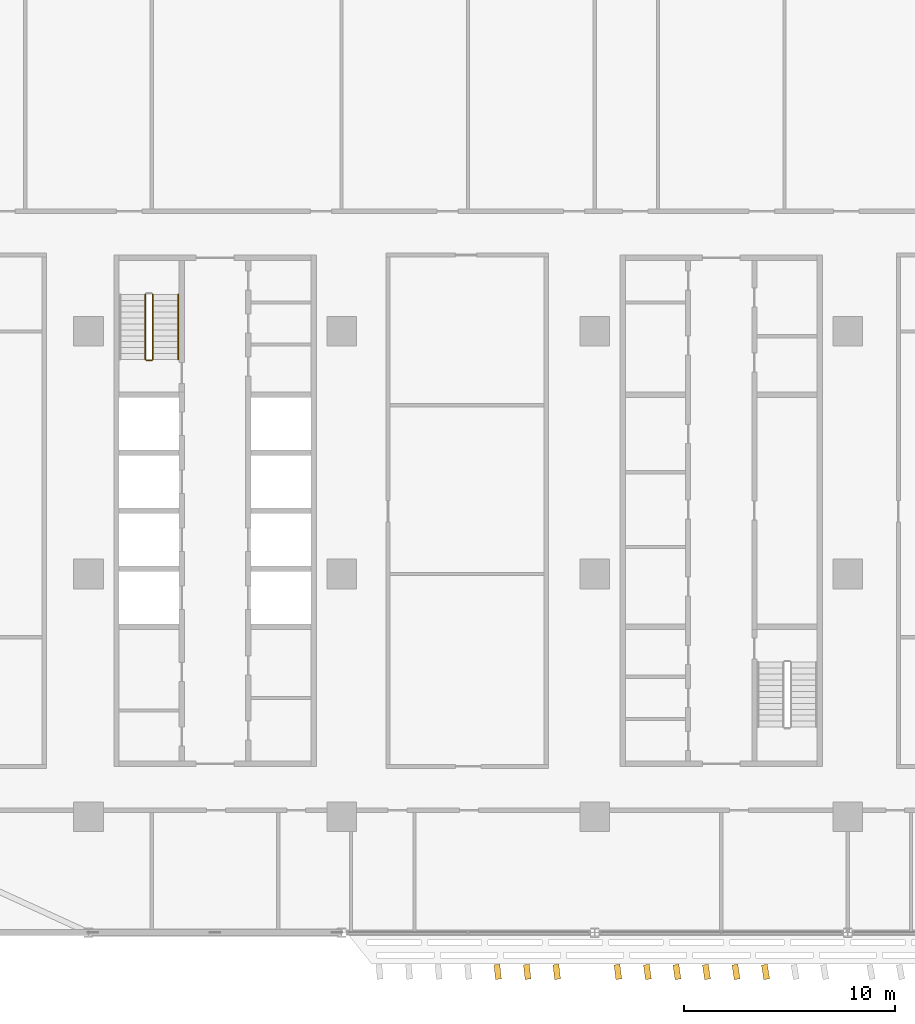
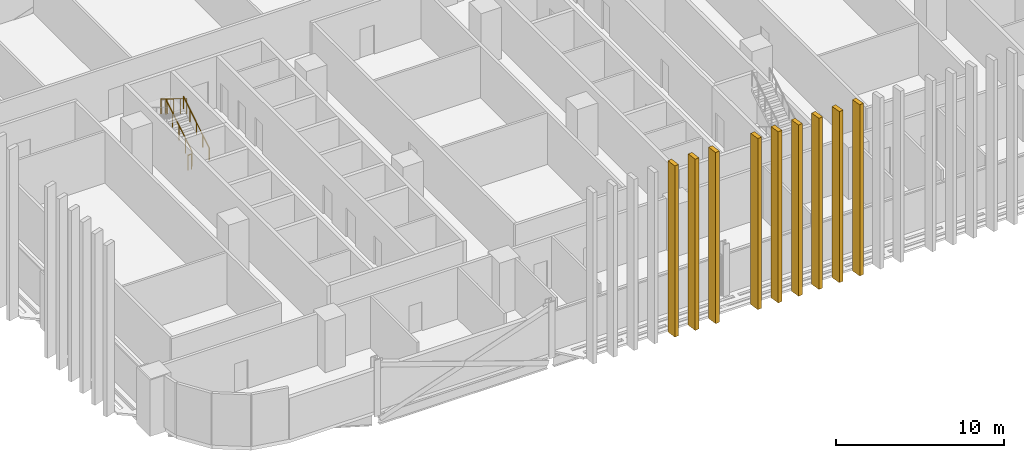
# One storey, part 24 of 31: 9 coverings, 4 railings.
"""IFC4 building model written with IfcOpenShell, lengths in metres."""

from ifc_helpers import new_model, si_unit, direction, frame, origin, origin_2d, place, context, subcontext, project, spatial, rectangle, circle, extrude, material, layer, layer_set, type_object, element, save


model = new_model("IFC4")

# Units and contexts
model_context = context("Model", 3, precision=1e-05, world=origin(), true_north=direction((0.0, 1.0)))
body_context = subcontext(model_context, "Body", "Model", "MODEL_VIEW")
ifc_project = project(units=[si_unit("LENGTHUNIT", "METRE"), si_unit("AREAUNIT", "SQUARE_METRE"), si_unit("VOLUMEUNIT", "CUBIC_METRE"), si_unit("PLANEANGLEUNIT", "RADIAN"), si_unit("MASSUNIT", "GRAM", prefix="KILO")], contexts=[model_context])

# Site, building, storey
site_placement = place(None, origin())
site = spatial("IfcSite", under=ifc_project, at=site_placement, CompositionType="ELEMENT")
building_placement = place(site_placement, origin())
building = spatial("IfcBuilding", under=site, at=building_placement, Name="Mahtab Terrace Research Tower", CompositionType="ELEMENT")
storey_placement = place(building_placement, frame((0.0, 0.0, 101.199951171875)))
storey = spatial("IfcBuildingStorey", under=building, at=storey_placement, Name="L23", CompositionType="ELEMENT", Elevation=101.199951171875)

# Railings
ifc_material_1 = material(Name="Stainless steel AISI 304", Category="steel")
railing_type_1 = type_object("IfcRailingType", Name="Stair guard 1100", PredefinedType="GUARDRAIL", material=ifc_material_1)
railing_1_placement = place(storey_placement, frame((-26.949951171875, 10.175048828125, 0.1708984375)))
element("IfcRailing", 1, at=railing_1_placement, inside=storey, type_object=railing_type_1, Name="L23 ST1 stair guard 1", PredefinedType="GUARDRAIL", context=body_context, shape_type="SweptSolid", body=[
    extrude(circle(Radius=0.02392578125, at=origin_2d()), frame((0.0, 0.0, 1.076171875), z_axis=(0.0, 0.853647949592, 0.520850437417), x_axis=(-1.0, 0.0, 0.0)), (0.0, 0.0, 1.0), 3.60791015625),
    extrude(circle(Radius=0.02099609375, at=origin_2d()), origin(), (0.0, 0.0, 1.0), 1.052001953125),
    extrude(circle(Radius=0.02099609375, at=origin_2d()), frame((0.0, 0.77001953125, 0.4697265625)), (0.0, 0.0, 1.0), 1.052001953125),
    extrude(circle(Radius=0.02099609375, at=origin_2d()), frame((0.0, 1.5400390625, 0.939453125)), (0.0, 0.0, 1.0), 1.052001953125),
    extrude(circle(Radius=0.02099609375, at=origin_2d()), frame((0.0, 2.309814453125, 1.409423828125)), (0.0, 0.0, 1.0), 1.052001953125),
    extrude(circle(Radius=0.02099609375, at=origin_2d()), frame((0.0, 3.079833984375, 1.879150390625)), (0.0, 0.0, 1.0), 1.052001953125),
])
railing_2_placement = place(storey_placement, frame((-27.300048828125, 13.2548828125, 2.220947265625)))
element("IfcRailing", 2, at=railing_2_placement, inside=storey, type_object=railing_type_1, Name="L23 ST1 stair guard 3", PredefinedType="GUARDRAIL", context=body_context, shape_type="SweptSolid", body=[
    extrude(circle(Radius=0.02392578125, at=origin_2d()), frame((0.0, 0.0, 1.076171875), z_axis=(0.0, -0.853647949592, 0.520850437417), x_axis=(1.0, 0.0, 0.0)), (0.0, 0.0, 1.0), 3.60791015625),
    extrude(circle(Radius=0.02099609375, at=origin_2d()), origin(), (0.0, 0.0, 1.0), 1.052001953125),
    extrude(circle(Radius=0.02099609375, at=origin_2d()), frame((0.0, -0.77001953125, 0.4697265625)), (0.0, 0.0, 1.0), 1.052001953125),
    extrude(circle(Radius=0.02099609375, at=origin_2d()), frame((0.0, -1.5400390625, 0.939453125)), (0.0, 0.0, 1.0), 1.052001953125),
    extrude(circle(Radius=0.02099609375, at=origin_2d()), frame((0.0, -2.309814453125, 1.409423828125)), (0.0, 0.0, 1.0), 1.052001953125),
    extrude(circle(Radius=0.02099609375, at=origin_2d()), frame((0.0, -3.079833984375, 1.879150390625)), (0.0, 0.0, 1.0), 1.052001953125),
])
railing_3_placement = place(storey_placement, frame((-27.0, 10.125, 0.0)))
element("IfcRailing", 3, at=railing_3_placement, inside=storey, type_object=railing_type_1, Name="L23 ST1 stair guard 4", PredefinedType="GUARDRAIL", context=body_context, shape_type="SweptSolid", body=[
    extrude(circle(Radius=0.02392578125, at=origin_2d()), frame((0.0, 0.0, 1.076171875), z_axis=(-1.0, 0.0, 0.0), x_axis=(0.0, -1.0, 0.0)), (0.0, 0.0, 1.0), 0.25),
    extrude(circle(Radius=0.02099609375, at=origin_2d()), origin(), (0.0, 0.0, 1.0), 1.052001953125),
    extrude(circle(Radius=0.02099609375, at=origin_2d()), frame((-0.25, 0.0, 0.0)), (0.0, 0.0, 1.0), 1.052001953125),
])
railing_type_2 = type_object("IfcRailingType", Name="Stair handrail 900", PredefinedType="HANDRAIL", material=ifc_material_1)
railing_4_placement = place(storey_placement, frame((-25.75, 10.175048828125, 0.1708984375)))
element("IfcRailing", 4, at=railing_4_placement, inside=storey, type_object=railing_type_2, Name="L23 ST1 stair handrail 1", PredefinedType="HANDRAIL", context=body_context, shape_type="SweptSolid", body=[
    extrude(circle(Radius=0.02392578125, at=origin_2d()), frame((0.0, 0.0, 0.8759765625), z_axis=(0.0, 0.853647949592, 0.520850437417), x_axis=(-1.0, 0.0, 0.0)), (0.0, 0.0, 1.0), 3.60791015625),
    extrude(circle(Radius=0.02099609375, at=origin_2d()), origin(), (0.0, 0.0, 1.0), 0.851806640625),
    extrude(circle(Radius=0.02099609375, at=origin_2d()), frame((0.0, 0.77001953125, 0.4697265625)), (0.0, 0.0, 1.0), 0.851806640625),
    extrude(circle(Radius=0.02099609375, at=origin_2d()), frame((0.0, 1.5400390625, 0.939453125)), (0.0, 0.0, 1.0), 0.851806640625),
    extrude(circle(Radius=0.02099609375, at=origin_2d()), frame((0.0, 2.309814453125, 1.409423828125)), (0.0, 0.0, 1.0), 0.851806640625),
    extrude(circle(Radius=0.02099609375, at=origin_2d()), frame((0.0, 3.079833984375, 1.879150390625)), (0.0, 0.0, 1.0), 0.851806640625),
])

# Coverings
ifc_material_2 = material(Name="Bronze anodised aluminium", Category="aluminium")
ifc_layer = layer(ifc_material_2, 0.1201171875)
ifc_layer_set = layer_set([ifc_layer], Name="Vertical fin 700")
covering_type = type_object("IfcCoveringType", Name="Vertical fin 700", PredefinedType="CLADDING", material=ifc_layer_set)
for number, where, z_axis, x_axis, name in (
    (5, (-10.60009765625, -18.86279296875, -0.14990234375), (0.0, 0.0, 1.0), (0.994434677334, 0.105354983343, 0.0), "Fin L23 S5"),
    (6, (-9.199951171875, -18.86328125, -0.14990234375), (0.0, 0.0, 1.0), (0.993804921385, 0.111138554202, 0.0), "Fin L23 S6"),
    (7, (-7.800048828125, -18.864013671875, -0.14990234375), (0.0, 0.0, 1.0), (0.993141528832, 0.116918363435, 0.0), "Fin L23 S7"),
    (8, (-4.89990234375, -18.865234375, -0.14990234375), (0.0, 0.0, 1.0), (0.991660454638, 0.128878014836, 0.0), "Fin L23 S1"),
    (9, (-3.5, -18.86572265625, -0.14990234375), (0.0, 0.0, 1.0), (0.990893894959, 0.13464504793, 0.0), "Fin L23 S2"),
    (10, (-2.10009765625, -18.8662109375, -0.14990234375), (0.0, 0.0, 1.0), (0.990093797205, 0.140407523789, 0.0), "Fin L23 S3"),
    (11, (-0.699951171875, -18.86669921875, -0.14990234375), (0.0, 0.0, 1.0), (0.989260188451, 0.146165247392, 0.0), "Fin L23 S4"),
    (12, (0.699951171875, -18.8671875, -0.14990234375), (0.0, 0.0, 1.0), (0.988393096919, 0.151918023828, 0.0), "Fin L23 S5"),
    (13, (2.10009765625, -18.86767578125, -0.14990234375), (0.0, 0.0, 1.0), (0.987492551952, 0.157665658403, 0.0), "Fin L23 S6"),
):
    element("IfcCovering", number, at=place(storey_placement, frame(where, z_axis=z_axis, x_axis=x_axis)), inside=storey, type_object=covering_type, Name=name, PredefinedType="CLADDING", context=body_context, shape_type="SweptSolid", body=[
        extrude(rectangle(XDim=0.280029296875, YDim=0.699951171875, at=origin_2d()), origin(), (0.0, 0.0, 1.0), 12.449951171875),
    ])

save(model, "model.ifc")
